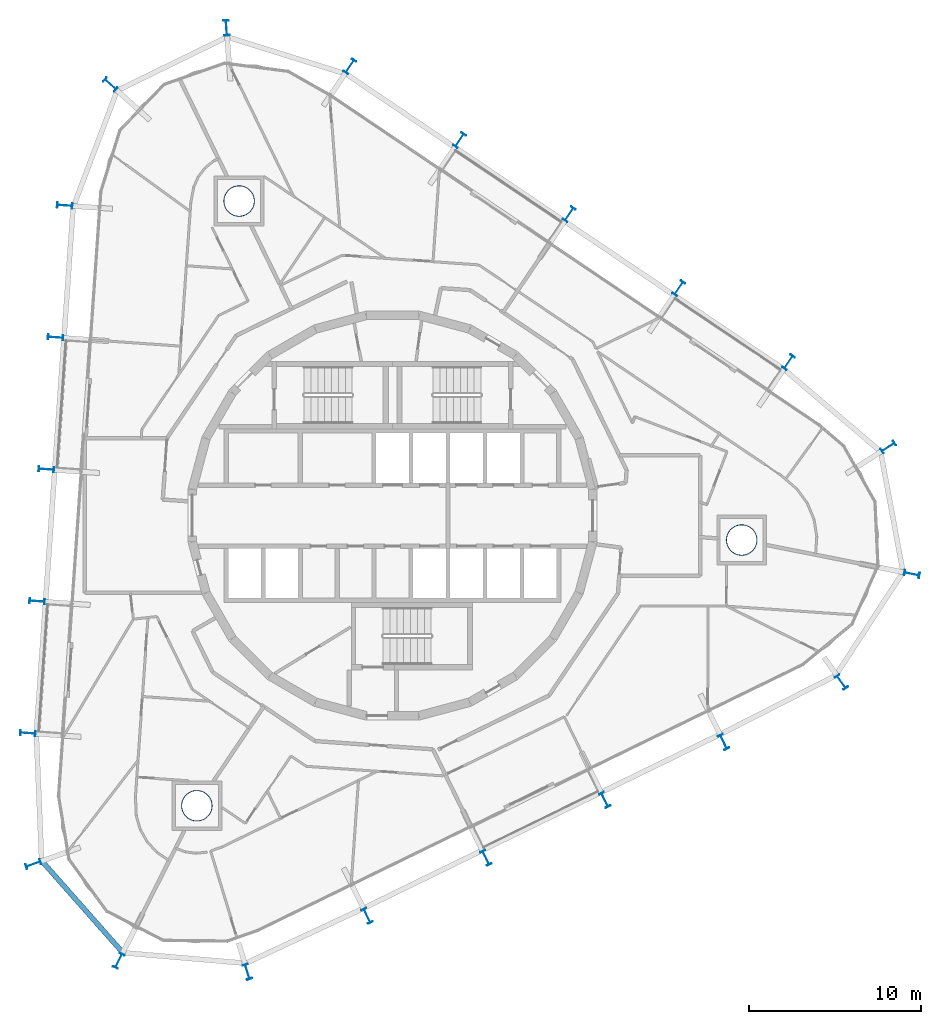
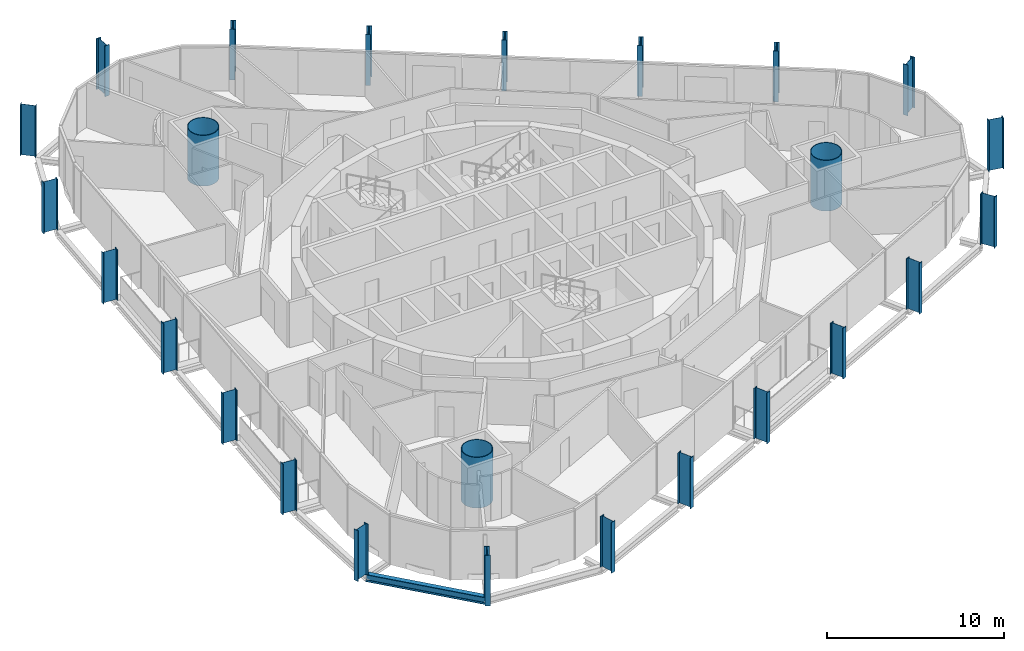
# One storey, part 1 of 17: 25 columns, 1 beam.
"""IFC4 building model written with IfcOpenShell, lengths in metres."""

from ifc_helpers import new_model, si_unit, direction, frame, origin, origin_2d, place, context, subcontext, project, spatial, hollow_circle, i_section, extrude, material, material_profile, profile_set, type_object, element, save


model = new_model("IFC4")

# Units and contexts
model_context = context("Model", 3, precision=1e-05, world=origin(), true_north=direction((0.0, 1.0)))
body_context = subcontext(model_context, "Body", "Model", "MODEL_VIEW")
ifc_project = project(units=[si_unit("LENGTHUNIT", "METRE"), si_unit("AREAUNIT", "SQUARE_METRE"), si_unit("VOLUMEUNIT", "CUBIC_METRE"), si_unit("PLANEANGLEUNIT", "RADIAN"), si_unit("MASSUNIT", "GRAM", prefix="KILO")], contexts=[model_context])

# Site, building, storey
site_placement = place(None, origin())
site = spatial("IfcSite", under=ifc_project, at=site_placement, CompositionType="ELEMENT")
building_placement = place(site_placement, origin())
building = spatial("IfcBuilding", under=site, at=building_placement, Name="Spindle Arch Residences", CompositionType="ELEMENT")
storey_placement = place(building_placement, frame((0.0, 0.0, 191.89990234375)))
storey = spatial("IfcBuildingStorey", under=building, at=storey_placement, Name="L48", CompositionType="ELEMENT", Elevation=191.89990234375)

# Columns
ifc_material_1 = material(Name="Steel S460ML, intumescent coating R 240", Category="steel")
ifc_material_profile_1 = material_profile(ifc_material_1, i_section(OverallWidth=0.300048828125, OverallDepth=0.89990234375, WebThickness=0.0185546875, FlangeThickness=0.034912109375, FilletRadius=0.030029296875, at=origin_2d()), Name="HEB 900")
ifc_profile_set_1 = profile_set([ifc_material_profile_1], Name="Steel S460ML, intumescent coating R 240")
column_type_1 = type_object("IfcColumnType", Name="Exoskeleton post HEB 900", PredefinedType="COLUMN", material=ifc_profile_set_1)
for number, where, z_axis, x_axis, name in (
    (1, (12.347900390625, -16.5419921875, -0.3798828125), (0.0, 0.0, 1.0), (-0.898794095235, -0.438371046456, 0.0), "Exoskeleton post 1"),
    (2, (19.26318359375, -13.169189453125, -0.3798828125), (0.0, 0.0, 1.0), (-0.898794095235, -0.438371046456, 0.0), "Exoskeleton post 2"),
    (3, (26.11669921875, -9.685546875, -0.3798828125), (0.0, 0.0, 1.0), (-0.818345137662, -0.574727096686, 0.0), "Exoskeleton post 3"),
    (4, (30.217041015625, -3.39501953125, -0.3798828125), (0.0, 0.0, 1.0), (-0.195504943379, -0.980702715972, 0.0), "Exoskeleton post 4"),
    (5, (28.84228515625, 3.9873046875, -0.3798828125), (0.0, 0.0, 1.0), (0.535400283339, -0.844598446956, 0.0), "Exoskeleton post 5"),
    (6, (23.03466796875, 8.926025390625, -0.3798828125), (0.0, 0.0, 1.0), (0.829037661466, -0.559192771654, 0.0), "Exoskeleton post 6"),
    (7, (16.65625, 13.228271484375, -0.3798828125), (0.0, 0.0, 1.0), (0.829037661466, -0.559192771654, 0.0), "Exoskeleton post 7"),
    (8, (10.27783203125, 17.530517578125, -0.3798828125), (0.0, 0.0, 1.0), (0.829037661466, -0.559192771654, 0.0), "Exoskeleton post 8"),
    (9, (3.8994140625, 21.832763671875, -0.3798828125), (0.0, 0.0, 1.0), (0.829037661466, -0.559192771654, 0.0), "Exoskeleton post 9"),
    (10, (-2.47900390625, 26.135009765625, -0.3798828125), (0.0, 0.0, 1.0), (0.829037661466, -0.559192771654, 0.0), "Exoskeleton post 10"),
    (11, (-9.66162109375, 28.3740234375, -0.3798828125), (0.0, 0.0, 1.0), (0.997343345089, 0.072844025201, 0.0), "Exoskeleton post 11"),
    (12, (-16.41064453125, 25.082275390625, -0.3798828125), (0.0, 0.0, 1.0), (0.671427897912, 0.741069887329, 0.0), "Exoskeleton post 12"),
    (13, (-19.068603515625, 18.043701171875, -0.3798828125), (0.0, 0.0, 1.0), (0.069756005795, 0.997564082982, 0.0), "Exoskeleton post 13"),
    (14, (-19.605224609375, 10.368896484375, -0.3798828125), (0.0, 0.0, 1.0), (0.069756005795, 0.997564082982, 0.0), "Exoskeleton post 14"),
    (15, (-20.141845703125, 2.69384765625, -0.3798828125), (0.0, 0.0, 1.0), (0.069756005795, 0.997564082982, 0.0), "Exoskeleton post 15"),
    (16, (-20.6787109375, -4.981201171875, -0.3798828125), (0.0, 0.0, 1.0), (0.069756005795, 0.997564082982, 0.0), "Exoskeleton post 16"),
    (17, (-21.21533203125, -12.656005859375, -0.3798828125), (0.0, 0.0, 1.0), (0.069756005795, 0.997564082982, 0.0), "Exoskeleton post 17"),
    (18, (-20.899169921875, -20.273193359375, -0.3798828125), (0.0, 0.0, 1.0), (-0.335927007751, 0.941888021722, 0.0), "Exoskeleton post 18"),
    (19, (-15.92822265625, -25.901611328125, -0.3798828125), (0.0, 0.0, 1.0), (-0.893169071277, 0.449721035881, 0.0), "Exoskeleton post 19"),
    (20, (-8.446533203125, -26.543212890625, -0.3798828125), (0.0, 0.0, 1.0), (-0.956714575216, -0.291027870778, 0.0), "Exoskeleton post 20"),
    (21, (-1.482177734375, -23.287353515625, -0.3798828125), (0.0, 0.0, 1.0), (-0.898794095235, -0.438371046456, 0.0), "Exoskeleton post 21"),
    (22, (5.43310546875, -19.91455078125, -0.3798828125), (0.0, 0.0, 1.0), (-0.898794095235, -0.438371046456, 0.0), "Exoskeleton post 22"),
):
    element("IfcColumn", number, at=place(storey_placement, frame(where, z_axis=z_axis, x_axis=x_axis)), inside=storey, type_object=column_type_1, Name=name, PredefinedType="COLUMN", context=body_context, shape_type="SweptSolid", body=[
        extrude(i_section(OverallWidth=0.300048828125, OverallDepth=0.89990234375, WebThickness=0.0185546875, FlangeThickness=0.034912109375, FilletRadius=0.030029296875, at=origin_2d()), origin(), (0.0, 0.0, 1.0), 3.5),
    ])
ifc_material_2 = material(Name="Concrete C50/60 filled steel tube S460ML, intumescent coating R 240", Category="concrete")
ifc_material_profile_2 = material_profile(ifc_material_2, hollow_circle(Radius=0.89990234375, WallThickness=0.0400390625, at=origin_2d()), Name="CFT D1800x40")
ifc_profile_set_2 = profile_set([ifc_material_profile_2], Name="Concrete C50/60 filled steel tube S460ML, intumescent coating R 240")
column_type_2 = type_object("IfcColumnType", Name="Mega-column CFT D1800x40", PredefinedType="COLUMN", material=ifc_profile_set_2)
for number, where, z_axis, x_axis, name in (
    (23, (20.31201171875, -1.42041015625, -0.3798828125), (0.0, 0.0, 1.0), (1.0, 0.0, 0.0), "Mega-column 1"),
    (24, (-8.92578125, 18.30078125, -0.3798828125), (0.0, 0.0, 1.0), (1.0, 0.0, 0.0), "Mega-column 2"),
    (25, (-11.385986328125, -16.880615234375, -0.3798828125), (0.0, 0.0, 1.0), (1.0, 0.0, 0.0), "Mega-column 3"),
):
    element("IfcColumn", number, at=place(storey_placement, frame(where, z_axis=z_axis, x_axis=x_axis)), inside=storey, type_object=column_type_2, Name=name, PredefinedType="COLUMN", context=body_context, shape_type="SweptSolid", body=[
        extrude(hollow_circle(Radius=0.89990234375, WallThickness=0.0400390625, at=origin_2d()), origin(), (0.0, 0.0, 1.0), 3.5),
    ])

# Beam
ifc_material_3 = material(Name="Steel S460ML, intumescent coating R 120", Category="steel")
ifc_material_profile_3 = material_profile(ifc_material_3, i_section(OverallWidth=0.300048828125, OverallDepth=0.5, WebThickness=0.014404296875, FlangeThickness=0.028076171875, FilletRadius=0.027099609375, at=origin_2d()), Name="HEB 500")
ifc_profile_set_3 = profile_set([ifc_material_profile_3], Name="Steel S460ML, intumescent coating R 120")
beam_type = type_object("IfcBeamType", Name="Exoskeleton edge beam HEB 500", PredefinedType="BEAM", material=ifc_profile_set_3)
beam_placement = place(storey_placement, frame((-20.44580078125, -20.04638671875, -0.6298828125), z_axis=(0.661985798565, -0.749516379073, 0.0), x_axis=(0.749516379073, 0.661985798565, 0.0)))
element("IfcBeam", 26, at=beam_placement, inside=storey, type_object=beam_type, Name="Exoskeleton edge beam 18", PredefinedType="BEAM", context=body_context, shape_type="SweptSolid", body=[
    extrude(i_section(OverallWidth=0.300048828125, OverallDepth=0.5, WebThickness=0.014404296875, FlangeThickness=0.028076171875, FilletRadius=0.027099609375, at=origin_2d()), origin(), (0.0, 0.0, 1.0), 7.2490234375),
])

save(model, "model.ifc")
